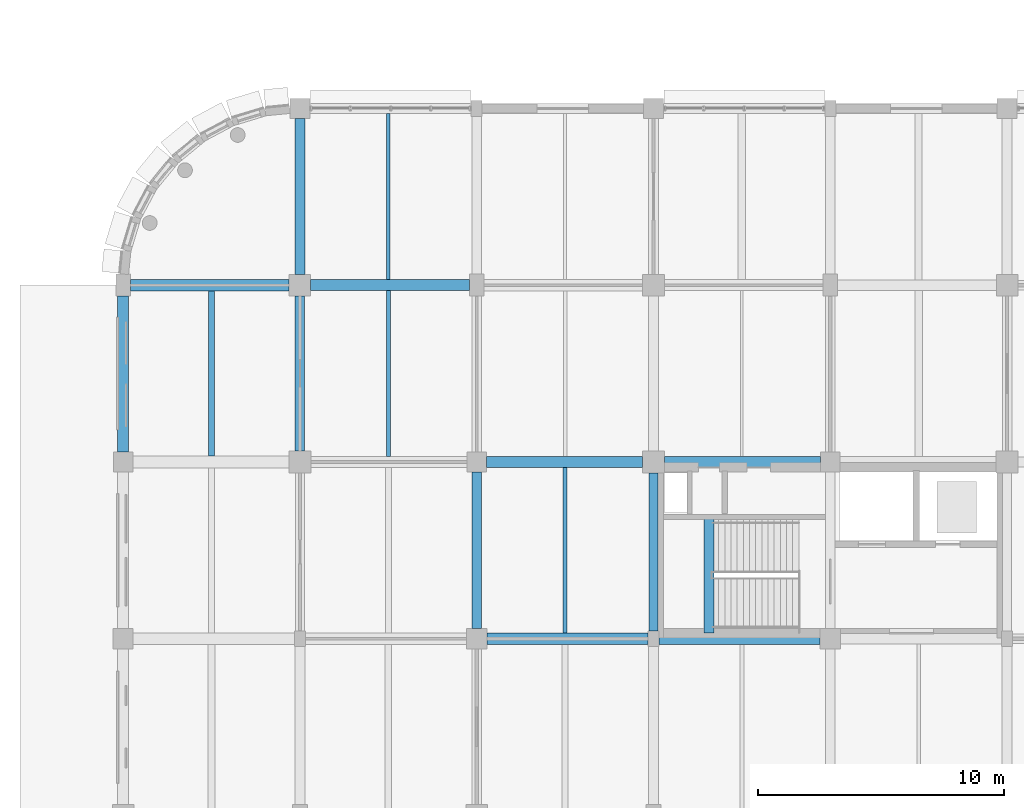
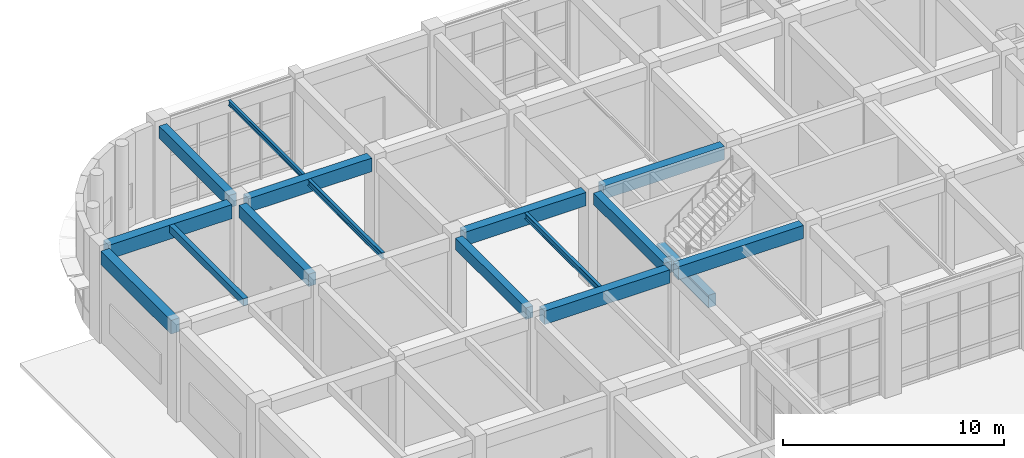
# One storey, part 55 of 160: 16 beams.
"""IFC4 building model written with IfcOpenShell, lengths in metres."""

from ifc_helpers import new_model, si_unit, direction, frame, origin, origin_2d, place, context, subcontext, project, spatial, rectangle, i_section, extrude, material, material_profile, profile_set, type_object, element, save


model = new_model("IFC4")

# Units and contexts
model_context = context("Model", 3, precision=1e-05, world=origin(), true_north=direction((0.0, 1.0)))
body_context = subcontext(model_context, "Body", "Model", "MODEL_VIEW")
ifc_project = project(units=[si_unit("LENGTHUNIT", "METRE"), si_unit("AREAUNIT", "SQUARE_METRE"), si_unit("VOLUMEUNIT", "CUBIC_METRE"), si_unit("PLANEANGLEUNIT", "RADIAN"), si_unit("MASSUNIT", "GRAM", prefix="KILO")], contexts=[model_context])

# Site, building, storey
site_placement = place(None, origin())
site = spatial("IfcSite", under=ifc_project, at=site_placement, CompositionType="ELEMENT")
building_placement = place(site_placement, origin())
building = spatial("IfcBuilding", under=site, at=building_placement, Name="Thalmaran Polytechnic", CompositionType="ELEMENT")
storey_placement = place(building_placement, origin())
storey = spatial("IfcBuildingStorey", under=building, at=storey_placement, Name="L00", CompositionType="ELEMENT", Elevation=0.0)

# Beams
ifc_material_1 = material(Name="Concrete C40/50", Category="concrete")
ifc_material_profile_1 = material_profile(ifc_material_1, rectangle(XDim=0.449951171875, YDim=0.75, at=origin_2d()), Name="RC 450x750")
ifc_profile_set_1 = profile_set([ifc_material_profile_1], Name="Concrete C40/50")
beam_type_1 = type_object("IfcBeamType", Name="BM-RC03", PredefinedType="BEAM", material=ifc_profile_set_1)
beam_1_placement = place(storey_placement, frame((7.639892578125, 115.199951171875, 4.715087890625), z_axis=(1.0, 0.0, 0.0), x_axis=(0.0, 1.0, 0.0)))
element("IfcBeam", 1, at=beam_1_placement, inside=storey, type_object=beam_type_1, Name="Grid Beam B03 L00 X(1,16)", PredefinedType="BEAM", context=body_context, shape_type="SweptSolid", body=[
    extrude(rectangle(XDim=0.449951171875, YDim=0.75, at=origin_2d()), origin(), (0.0, 0.0, 1.0), 6.460205078125),
])
ifc_material_profile_2 = material_profile(ifc_material_1, rectangle(XDim=0.449951171875, YDim=0.72509765625, at=origin_2d()), Name="RC 450x725")
ifc_profile_set_2 = profile_set([ifc_material_profile_2], Name="Concrete C40/50")
beam_type_2 = type_object("IfcBeamType", Name="BM-RC04", PredefinedType="BEAM", material=ifc_profile_set_2)
beam_2_placement = place(storey_placement, frame((21.824951171875, 100.800048828125, 4.7275390625), z_axis=(1.0, 0.0, 0.0), x_axis=(0.0, 1.0, 0.0)))
element("IfcBeam", 2, at=beam_2_placement, inside=storey, type_object=beam_type_2, Name="Grid Beam B04 L00 X(3,14)", PredefinedType="BEAM", context=body_context, shape_type="SweptSolid", body=[
    extrude(rectangle(XDim=0.449951171875, YDim=0.72509765625, at=origin_2d()), origin(), (0.0, 0.0, 1.0), 6.56494140625),
])
beam_3_placement = place(storey_placement, frame((22.050048828125, 108.0, 4.7275390625), z_axis=(1.0, 0.0, 0.0), x_axis=(0.0, 1.0, 0.0)))
element("IfcBeam", 3, at=beam_3_placement, inside=storey, type_object=beam_type_2, Name="Grid Beam B04 L00 X(3,15)", PredefinedType="BEAM", context=body_context, shape_type="SweptSolid", body=[
    extrude(rectangle(XDim=0.449951171875, YDim=0.72509765625, at=origin_2d()), origin(), (0.0, 0.0, 1.0), 6.349853515625),
])
ifc_material_profile_3 = material_profile(ifc_material_1, rectangle(XDim=0.389892578125, YDim=0.68505859375, at=origin_2d()), Name="RC 390x685")
ifc_profile_set_3 = profile_set([ifc_material_profile_3], Name="Concrete C40/50")
beam_type_3 = type_object("IfcBeamType", Name="BM-RC08", PredefinedType="BEAM", material=ifc_profile_set_3)
beam_4_placement = place(storey_placement, frame((7.199951171875, 108.449951171875, 4.74755859375), z_axis=(0.0, 1.0, 0.0), x_axis=(-1.0, 0.0, 0.0)))
element("IfcBeam", 4, at=beam_4_placement, inside=storey, type_object=beam_type_3, Name="Grid Beam B08 L00 Y(1,15)", PredefinedType="BEAM", context=body_context, shape_type="SweptSolid", body=[
    extrude(rectangle(XDim=0.389892578125, YDim=0.68505859375, at=origin_2d()), origin(), (0.0, 0.0, 1.0), 6.31005859375),
])
ifc_material_profile_4 = material_profile(ifc_material_1, rectangle(XDim=0.389892578125, YDim=0.695068359375, at=origin_2d()), Name="RC 390x695")
ifc_profile_set_4 = profile_set([ifc_material_profile_4], Name="Concrete C40/50")
beam_type_4 = type_object("IfcBeamType", Name="BM-RC10", PredefinedType="BEAM", material=ifc_profile_set_4)
beam_5_placement = place(storey_placement, frame((23.860107421875, 101.0400390625, 2.239990234375), z_axis=(0.0, 1.0, 0.0), x_axis=(-1.0, 0.0, 0.0)))
element("IfcBeam", 5, at=beam_5_placement, inside=storey, type_object=beam_type_4, Name="ST2 L00 Half-Landing Trimmer Beam", PredefinedType="BEAM", context=body_context, shape_type="SweptSolid", body=[
    extrude(rectangle(XDim=0.389892578125, YDim=0.695068359375, at=origin_2d()), origin(), (0.0, 0.0, 1.0), 4.699951171875),
])
ifc_material_2 = material(Name="Steel S355", Category="steel")
ifc_material_profile_5 = material_profile(ifc_material_2, i_section(OverallWidth=0.159912109375, OverallDepth=0.330078125, WebThickness=0.007568359375, FlangeThickness=0.011474609375, at=origin_2d()), Name="IPE 330")
ifc_profile_set_5 = profile_set([ifc_material_profile_5], Name="Steel S355")
beam_type_5 = type_object("IfcBeamType", Name="BM-SJ02", PredefinedType="JOIST", material=ifc_profile_set_5)
beam_6_placement = place(storey_placement, frame((10.800048828125, 108.22509765625, 4.925048828125), z_axis=(0.0, 1.0, 0.0), x_axis=(-1.0, 0.0, 0.0)))
element("IfcBeam", 6, at=beam_6_placement, inside=storey, type_object=beam_type_5, Name="Secondary Floor Rib SJ02 L00 (1,15)", PredefinedType="JOIST", context=body_context, shape_type="SweptSolid", body=[
    extrude(i_section(OverallWidth=0.159912109375, OverallDepth=0.330078125, WebThickness=0.007568359375, FlangeThickness=0.011474609375, at=origin_2d()), origin(), (0.0, 0.0, 1.0), 6.75),
])
beam_7_placement = place(storey_placement, frame((18.0, 101.030029296875, 4.925048828125), z_axis=(0.0, 1.0, 0.0), x_axis=(-1.0, 0.0, 0.0)))
element("IfcBeam", 7, at=beam_7_placement, inside=storey, type_object=beam_type_5, Name="Secondary Floor Rib SJ02 L00 (2,14)", PredefinedType="JOIST", context=body_context, shape_type="SweptSolid", body=[
    extrude(i_section(OverallWidth=0.159912109375, OverallDepth=0.330078125, WebThickness=0.007568359375, FlangeThickness=0.011474609375, at=origin_2d()), origin(), (0.0, 0.0, 1.0), 6.739990234375),
])
ifc_material_profile_6 = material_profile(ifc_material_2, i_section(OverallWidth=0.135009765625, OverallDepth=0.27001953125, WebThickness=0.006591796875, FlangeThickness=0.01025390625, at=origin_2d()), Name="IPE 270")
ifc_profile_set_6 = profile_set([ifc_material_profile_6], Name="Steel S355")
beam_type_6 = type_object("IfcBeamType", Name="BM-SJ03", PredefinedType="JOIST", material=ifc_profile_set_6)
beam_8_placement = place(storey_placement, frame((10.800048828125, 115.425048828125, 4.955078125), z_axis=(0.0, 1.0, 0.0), x_axis=(-1.0, 0.0, 0.0)))
element("IfcBeam", 8, at=beam_8_placement, inside=storey, type_object=beam_type_6, Name="Secondary Floor Rib SJ03 L00 (1,16)", PredefinedType="JOIST", context=body_context, shape_type="SweptSolid", body=[
    extrude(i_section(OverallWidth=0.135009765625, OverallDepth=0.27001953125, WebThickness=0.006591796875, FlangeThickness=0.01025390625, at=origin_2d()), origin(), (0.0, 0.0, 1.0), 6.77490234375),
])
ifc_material_profile_7 = material_profile(ifc_material_1, rectangle(XDim=0.449951171875, YDim=0.7548828125, at=origin_2d()), Name="RC 450x755")
ifc_profile_set_7 = profile_set([ifc_material_profile_7], Name="Concrete C40/50")
beam_type_7 = type_object("IfcBeamType", Name="BM-SP02", PredefinedType="SPANDREL", material=ifc_profile_set_7)
beam_9_placement = place(storey_placement, frame((0.0, 108.39990234375, 4.71240234375), z_axis=(0.0, 1.0, 0.0), x_axis=(-1.0, 0.0, 0.0)))
element("IfcBeam", 9, at=beam_9_placement, inside=storey, type_object=beam_type_7, Name="Grid Beam SP02 L00 Y(0,15)", PredefinedType="SPANDREL", context=body_context, shape_type="SweptSolid", body=[
    extrude(rectangle(XDim=0.449951171875, YDim=0.7548828125, at=origin_2d()), origin(), (0.0, 0.0, 1.0), 6.35009765625),
])
ifc_material_profile_8 = material_profile(ifc_material_1, rectangle(XDim=0.47998046875, YDim=0.780029296875, at=origin_2d()), Name="RC 480x780")
ifc_profile_set_8 = profile_set([ifc_material_profile_8], Name="Concrete C40/50")
beam_type_8 = type_object("IfcBeamType", Name="BM-ZB01", PredefinedType="BEAM", material=ifc_profile_set_8)
beam_10_placement = place(storey_placement, frame((0.300048828125, 115.199951171875, 4.699951171875), z_axis=(1.0, 0.0, 0.0), x_axis=(0.0, 1.0, 0.0)))
element("IfcBeam", 10, at=beam_10_placement, inside=storey, type_object=beam_type_8, Name="Grid Beam ZB01 L00 X(0,16)", PredefinedType="BEAM", context=body_context, shape_type="SweptSolid", body=[
    extrude(rectangle(XDim=0.47998046875, YDim=0.780029296875, at=origin_2d()), origin(), (0.0, 0.0, 1.0), 6.4599609375),
])
ifc_material_profile_9 = material_profile(ifc_material_1, rectangle(XDim=0.4599609375, YDim=0.739990234375, at=origin_2d()), Name="RC 460x740")
ifc_profile_set_9 = profile_set([ifc_material_profile_9], Name="Concrete C40/50")
beam_type_9 = type_object("IfcBeamType", Name="BM-ZB02", PredefinedType="BEAM", material=ifc_profile_set_9)
beam_11_placement = place(storey_placement, frame((14.81005859375, 100.800048828125, 4.719970703125), z_axis=(1.0, 0.0, 0.0), x_axis=(0.0, 1.0, 0.0)))
element("IfcBeam", 11, at=beam_11_placement, inside=storey, type_object=beam_type_9, Name="Grid Beam ZB02 L00 X(2,14)", PredefinedType="BEAM", context=body_context, shape_type="SweptSolid", body=[
    extrude(rectangle(XDim=0.4599609375, YDim=0.739990234375, at=origin_2d()), origin(), (0.0, 0.0, 1.0), 6.56494140625),
])
beam_12_placement = place(storey_placement, frame((14.800048828125, 108.0, 4.719970703125), z_axis=(1.0, 0.0, 0.0), x_axis=(0.0, 1.0, 0.0)))
element("IfcBeam", 12, at=beam_12_placement, inside=storey, type_object=beam_type_9, Name="Grid Beam ZB02 L00 X(2,15)", PredefinedType="BEAM", context=body_context, shape_type="SweptSolid", body=[
    extrude(rectangle(XDim=0.4599609375, YDim=0.739990234375, at=origin_2d()), origin(), (0.0, 0.0, 1.0), 6.349853515625),
])
ifc_material_profile_10 = material_profile(ifc_material_1, rectangle(XDim=0.3798828125, YDim=0.635009765625, at=origin_2d()), Name="RC 380x635")
ifc_profile_set_10 = profile_set([ifc_material_profile_10], Name="Concrete C40/50")
beam_type_10 = type_object("IfcBeamType", Name="BM-ZB06", PredefinedType="BEAM", material=ifc_profile_set_10)
beam_13_placement = place(storey_placement, frame((14.39990234375, 101.2099609375, 4.7724609375), z_axis=(0.0, 1.0, 0.0), x_axis=(-1.0, 0.0, 0.0)))
element("IfcBeam", 13, at=beam_13_placement, inside=storey, type_object=beam_type_10, Name="Grid Beam ZB06 L00 Y(2,14)", PredefinedType="BEAM", context=body_context, shape_type="SweptSolid", body=[
    extrude(rectangle(XDim=0.3798828125, YDim=0.635009765625, at=origin_2d()), origin(), (0.0, 0.0, 1.0), 6.39013671875),
])
beam_14_placement = place(storey_placement, frame((21.60009765625, 101.125, 4.7724609375), z_axis=(0.0, 1.0, 0.0), x_axis=(-1.0, 0.0, 0.0)))
element("IfcBeam", 14, at=beam_14_placement, inside=storey, type_object=beam_type_10, Name="Grid Beam ZB06 L00 Y(3,14)", PredefinedType="BEAM", context=body_context, shape_type="SweptSolid", body=[
    extrude(rectangle(XDim=0.3798828125, YDim=0.635009765625, at=origin_2d()), origin(), (0.0, 0.0, 1.0), 6.425048828125),
])
ifc_material_profile_11 = material_profile(ifc_material_1, rectangle(XDim=0.39990234375, YDim=0.68505859375, at=origin_2d()), Name="RC 400x685")
ifc_profile_set_11 = profile_set([ifc_material_profile_11], Name="Concrete C40/50")
beam_type_11 = type_object("IfcBeamType", Name="BM-ZB07", PredefinedType="BEAM", material=ifc_profile_set_11)
beam_15_placement = place(storey_placement, frame((7.199951171875, 115.639892578125, 4.74755859375), z_axis=(0.0, 1.0, 0.0), x_axis=(-1.0, 0.0, 0.0)))
element("IfcBeam", 15, at=beam_15_placement, inside=storey, type_object=beam_type_11, Name="Grid Beam ZB07 L00 Y(1,16)", PredefinedType="BEAM", context=body_context, shape_type="SweptSolid", body=[
    extrude(rectangle(XDim=0.39990234375, YDim=0.68505859375, at=origin_2d()), origin(), (0.0, 0.0, 1.0), 6.35009765625),
])
ifc_material_profile_12 = material_profile(ifc_material_1, rectangle(XDim=0.239990234375, YDim=0.39990234375, at=origin_2d()), Name="RC 240x400")
ifc_profile_set_12 = profile_set([ifc_material_profile_12], Name="Concrete C40/50")
beam_type_12 = type_object("IfcBeamType", Name="BM-ZJ04", PredefinedType="JOIST", material=ifc_profile_set_12)
beam_16_placement = place(storey_placement, frame((3.60009765625, 108.239990234375, 4.889892578125), z_axis=(0.0, 1.0, 0.0), x_axis=(-1.0, 0.0, 0.0)))
element("IfcBeam", 16, at=beam_16_placement, inside=storey, type_object=beam_type_12, Name="Secondary Floor Rib ZJ04 L00 (0,15)", PredefinedType="JOIST", context=body_context, shape_type="SweptSolid", body=[
    extrude(rectangle(XDim=0.239990234375, YDim=0.39990234375, at=origin_2d()), origin(), (0.0, 0.0, 1.0), 6.719970703125),
])

save(model, "model.ifc")
